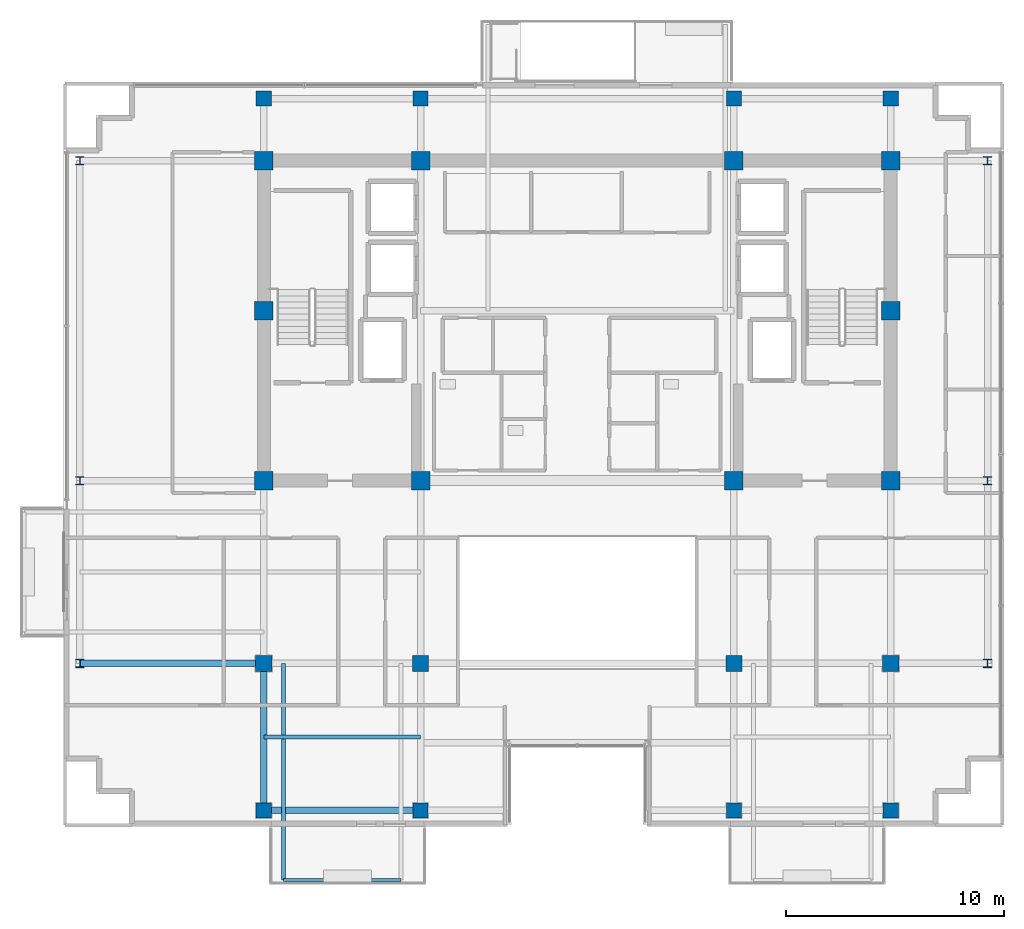
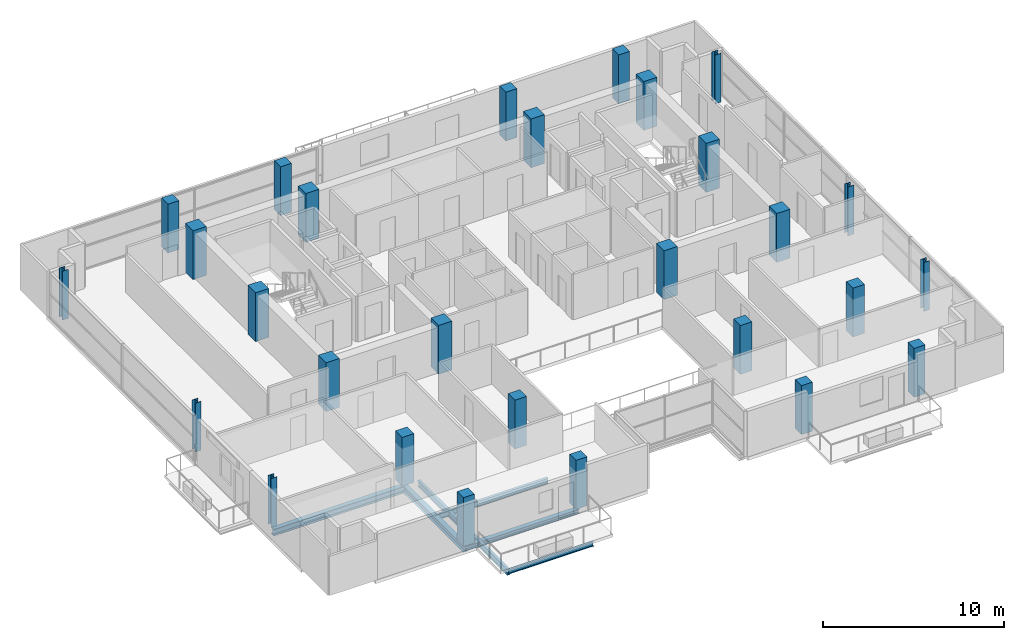
# One storey, part 1 of 24: 28 columns, 6 beams.
"""IFC4 building model written with IfcOpenShell, lengths in metres."""

from ifc_helpers import new_model, si_unit, direction, frame, origin, origin_2d, place, context, subcontext, project, spatial, rectangle, i_section, extrude, material, material_profile, profile_set, type_object, element, save


model = new_model("IFC4")

# Units and contexts
model_context = context("Model", 3, precision=1e-05, world=origin(), true_north=direction((0.0, 1.0)))
body_context = subcontext(model_context, "Body", "Model", "MODEL_VIEW")
ifc_project = project(units=[si_unit("LENGTHUNIT", "METRE"), si_unit("AREAUNIT", "SQUARE_METRE"), si_unit("VOLUMEUNIT", "CUBIC_METRE"), si_unit("PLANEANGLEUNIT", "RADIAN"), si_unit("MASSUNIT", "GRAM", prefix="KILO")], contexts=[model_context])

# Site, building, storey
site_placement = place(None, origin())
site = spatial("IfcSite", under=ifc_project, at=site_placement, CompositionType="ELEMENT")
building_placement = place(site_placement, origin())
building = spatial("IfcBuilding", under=site, at=building_placement, Name="Zarnakvel Exchange Tower", CompositionType="ELEMENT")
storey_placement = place(building_placement, frame((0.0, 0.0, 208.89990234375)))
storey = spatial("IfcBuildingStorey", under=building, at=storey_placement, Name="L58", CompositionType="ELEMENT", Elevation=208.89990234375)

# Columns
ifc_material_1 = material(Name="Concrete C50/60", Category="concrete")
ifc_material_profile_1 = material_profile(ifc_material_1, rectangle(XDim=0.85009765625, YDim=0.85009765625, at=origin_2d()))
ifc_profile_set_1 = profile_set([ifc_material_profile_1], Name="Concrete C50/60")
column_type_1 = type_object("IfcColumnType", Name="CC-03", PredefinedType="COLUMN", material=ifc_profile_set_1)
for number, where, z_axis, x_axis, name in (
    (1, (-14.39990234375, -1.199951171875, 0.0), (0.0, 0.0, 1.0), (1.0, 0.0, 0.0), "L58 Column C-4D (CC-03)"),
    (2, (-7.199951171875, -1.199951171875, 0.0), (0.0, 0.0, 1.0), (1.0, 0.0, 0.0), "L58 Column C-5D (CC-03)"),
    (3, (7.199951171875, -1.199951171875, 0.0), (0.0, 0.0, 1.0), (1.0, 0.0, 0.0), "L58 Column C-8D (CC-03)"),
    (4, (14.39990234375, -1.199951171875, 0.0), (0.0, 0.0, 1.0), (1.0, 0.0, 0.0), "L58 Column C-9D (CC-03)"),
    (5, (-14.39990234375, 6.60009765625, 0.0), (0.0, 0.0, 1.0), (1.0, 0.0, 0.0), "L58 Column C-4E (CC-03)"),
    (6, (14.39990234375, 6.60009765625, 0.0), (0.0, 0.0, 1.0), (1.0, 0.0, 0.0), "L58 Column C-9E (CC-03)"),
    (7, (-14.39990234375, 13.5, 0.0), (0.0, 0.0, 1.0), (1.0, 0.0, 0.0), "L58 Column C-4F (CC-03)"),
    (8, (-7.199951171875, 13.5, 0.0), (0.0, 0.0, 1.0), (1.0, 0.0, 0.0), "L58 Column C-5F (CC-03)"),
    (9, (7.199951171875, 13.5, 0.0), (0.0, 0.0, 1.0), (1.0, 0.0, 0.0), "L58 Column C-8F (CC-03)"),
    (10, (14.39990234375, 13.5, 0.0), (0.0, 0.0, 1.0), (1.0, 0.0, 0.0), "L58 Column C-9F (CC-03)"),
):
    element("IfcColumn", number, at=place(storey_placement, frame(where, z_axis=z_axis, x_axis=x_axis)), inside=storey, type_object=column_type_1, Name=name, PredefinedType="COLUMN", context=body_context, shape_type="SweptSolid", body=[
        extrude(rectangle(XDim=0.85009765625, YDim=0.85009765625, at=origin_2d()), origin(), (0.0, 0.0, 1.0), 3.300048828125),
    ])
ifc_material_2 = material(Name="Steel S355", Category="steel")
ifc_material_profile_2 = material_profile(ifc_material_2, i_section(OverallWidth=0.374755859375, OverallDepth=0.37451171875, WebThickness=0.0166015625, FlangeThickness=0.027099609375, FilletRadius=0.01513671875, at=origin_2d()))
ifc_profile_set_2 = profile_set([ifc_material_profile_2], Name="Steel S355")
column_type_2 = type_object("IfcColumnType", Name="SC-05", PredefinedType="COLUMN", material=ifc_profile_set_2)
for number, where, z_axis, x_axis, name in (
    (11, (-22.85009765625, -9.60009765625, 0.0), (0.0, 0.0, 1.0), (1.0, 0.0, 0.0), "L58 Column TW-C (SC-05)"),
    (12, (18.85009765625, -9.60009765625, 0.0), (0.0, 0.0, 1.0), (1.0, 0.0, 0.0), "L58 Column TE-C (SC-05)"),
    (13, (-22.85009765625, -1.199951171875, 0.0), (0.0, 0.0, 1.0), (1.0, 0.0, 0.0), "L58 Column TW-D (SC-05)"),
    (14, (18.85009765625, -1.199951171875, 0.0), (0.0, 0.0, 1.0), (1.0, 0.0, 0.0), "L58 Column TE-D (SC-05)"),
    (15, (-22.85009765625, 13.5, 0.0), (0.0, 0.0, 1.0), (1.0, 0.0, 0.0), "L58 Column TW-F (SC-05)"),
    (16, (18.85009765625, 13.5, 0.0), (0.0, 0.0, 1.0), (1.0, 0.0, 0.0), "L58 Column TE-F (SC-05)"),
):
    element("IfcColumn", number, at=place(storey_placement, frame(where, z_axis=z_axis, x_axis=x_axis)), inside=storey, type_object=column_type_2, Name=name, PredefinedType="COLUMN", context=body_context, shape_type="SweptSolid", body=[
        extrude(i_section(OverallWidth=0.374755859375, OverallDepth=0.37451171875, WebThickness=0.0166015625, FlangeThickness=0.027099609375, FilletRadius=0.01513671875, at=origin_2d()), origin(), (0.0, 0.0, 1.0), 3.300048828125),
    ])
ifc_material_profile_3 = material_profile(ifc_material_1, rectangle(XDim=0.75, YDim=0.75, at=origin_2d()))
ifc_profile_set_3 = profile_set([ifc_material_profile_3], Name="Concrete C50/60")
column_type_3 = type_object("IfcColumnType", Name="TC-04", PredefinedType="COLUMN", material=ifc_profile_set_3)
for number, where, z_axis, x_axis, name in (
    (17, (-14.39990234375, -9.60009765625, 0.0), (0.0, 0.0, 1.0), (1.0, 0.0, 0.0), "L58 Column T-4C (TC-04)"),
    (18, (-7.199951171875, -9.60009765625, 0.0), (0.0, 0.0, 1.0), (1.0, 0.0, 0.0), "L58 Column T-5C (TC-04)"),
    (19, (7.199951171875, -9.60009765625, 0.0), (0.0, 0.0, 1.0), (1.0, 0.0, 0.0), "L58 Column T-8C (TC-04)"),
    (20, (14.39990234375, -9.60009765625, 0.0), (0.0, 0.0, 1.0), (1.0, 0.0, 0.0), "L58 Column T-9C (TC-04)"),
):
    element("IfcColumn", number, at=place(storey_placement, frame(where, z_axis=z_axis, x_axis=x_axis)), inside=storey, type_object=column_type_3, Name=name, PredefinedType="COLUMN", context=body_context, shape_type="SweptSolid", body=[
        extrude(rectangle(XDim=0.75, YDim=0.75, at=origin_2d()), origin(), (0.0, 0.0, 1.0), 3.300048828125),
    ])
ifc_material_profile_4 = material_profile(ifc_material_1, rectangle(XDim=0.699951171875, YDim=0.699951171875, at=origin_2d()))
ifc_profile_set_4 = profile_set([ifc_material_profile_4], Name="Concrete C50/60")
column_type_4 = type_object("IfcColumnType", Name="TC-05", PredefinedType="COLUMN", material=ifc_profile_set_4)
for number, where, z_axis, x_axis, name in (
    (21, (-14.39990234375, -16.35009765625, 0.0), (0.0, 0.0, 1.0), (1.0, 0.0, 0.0), "L58 Column TS-4 (TC-05)"),
    (22, (-14.39990234375, 16.35009765625, 0.0), (0.0, 0.0, 1.0), (1.0, 0.0, 0.0), "L58 Column TN-4 (TC-05)"),
    (23, (-7.199951171875, -16.35009765625, 0.0), (0.0, 0.0, 1.0), (1.0, 0.0, 0.0), "L58 Column TS-5 (TC-05)"),
    (24, (-7.199951171875, 16.35009765625, 0.0), (0.0, 0.0, 1.0), (1.0, 0.0, 0.0), "L58 Column TN-5 (TC-05)"),
    (25, (7.199951171875, -16.35009765625, 0.0), (0.0, 0.0, 1.0), (1.0, 0.0, 0.0), "L58 Column TS-8 (TC-05)"),
    (26, (7.199951171875, 16.35009765625, 0.0), (0.0, 0.0, 1.0), (1.0, 0.0, 0.0), "L58 Column TN-8 (TC-05)"),
    (27, (14.39990234375, -16.35009765625, 0.0), (0.0, 0.0, 1.0), (1.0, 0.0, 0.0), "L58 Column TS-9 (TC-05)"),
    (28, (14.39990234375, 16.35009765625, 0.0), (0.0, 0.0, 1.0), (1.0, 0.0, 0.0), "L58 Column TN-9 (TC-05)"),
):
    element("IfcColumn", number, at=place(storey_placement, frame(where, z_axis=z_axis, x_axis=x_axis)), inside=storey, type_object=column_type_4, Name=name, PredefinedType="COLUMN", context=body_context, shape_type="SweptSolid", body=[
        extrude(rectangle(XDim=0.699951171875, YDim=0.699951171875, at=origin_2d()), origin(), (0.0, 0.0, 1.0), 3.300048828125),
    ])

# Beams
ifc_material_profile_5 = material_profile(ifc_material_2, i_section(OverallWidth=0.179931640625, OverallDepth=0.39990234375, WebThickness=0.008544921875, FlangeThickness=0.013427734375, FilletRadius=0.02099609375, at=origin_2d()))
ifc_profile_set_5 = profile_set([ifc_material_profile_5], Name="Steel S355")
beam_type_1 = type_object("IfcBeamType", Name="B-06", PredefinedType="JOIST", material=ifc_profile_set_5)
beam_1_placement = place(storey_placement, frame((-13.5, -9.60009765625, -0.4248046875), z_axis=(0.0, -1.0, 0.0), x_axis=(1.0, 0.0, 0.0)))
element("IfcBeam", 29, at=beam_1_placement, inside=storey, type_object=beam_type_1, Name="L58 Continuous Back-Spanned Balcony Beam W", PredefinedType="JOIST", context=body_context, shape_type="SweptSolid", body=[
    extrude(i_section(OverallWidth=0.179931640625, OverallDepth=0.39990234375, WebThickness=0.008544921875, FlangeThickness=0.013427734375, FilletRadius=0.02099609375, at=origin_2d()), origin(), (0.0, 0.0, 1.0), 9.949951171875),
])
ifc_material_profile_6 = material_profile(ifc_material_2, i_section(OverallWidth=0.169921875, OverallDepth=0.360107421875, WebThickness=0.008056640625, FlangeThickness=0.0126953125, FilletRadius=0.01806640625, at=origin_2d()))
ifc_profile_set_6 = profile_set([ifc_material_profile_6], Name="Steel S355")
beam_type_2 = type_object("IfcBeamType", Name="B-07", PredefinedType="JOIST", material=ifc_profile_set_6)
beam_2_placement = place(storey_placement, frame((-14.39990234375, -12.97509765625, -0.40478515625), z_axis=(1.0, 0.0, 0.0), x_axis=(0.0, 1.0, 0.0)))
element("IfcBeam", 30, at=beam_2_placement, inside=storey, type_object=beam_type_2, Name="L58 Composite Floor Secondary Joist", PredefinedType="JOIST", context=body_context, shape_type="SweptSolid", body=[
    extrude(i_section(OverallWidth=0.169921875, OverallDepth=0.360107421875, WebThickness=0.008056640625, FlangeThickness=0.0126953125, FilletRadius=0.01806640625, at=origin_2d()), origin(), (0.0, 0.0, 1.0), 7.199951171875),
])
ifc_material_profile_7 = material_profile(ifc_material_2, i_section(OverallWidth=0.14990234375, OverallDepth=0.300048828125, WebThickness=0.007080078125, FlangeThickness=0.0107421875, FilletRadius=0.014892578125, at=origin_2d()))
ifc_profile_set_7 = profile_set([ifc_material_profile_7], Name="Steel S355")
beam_type_3 = type_object("IfcBeamType", Name="B-08", PredefinedType="JOIST", material=ifc_profile_set_7)
beam_3_placement = place(storey_placement, frame((-13.5, -19.550048828125, -0.375), z_axis=(1.0, 0.0, 0.0), x_axis=(0.0, 1.0, 0.0)))
element("IfcBeam", 31, at=beam_3_placement, inside=storey, type_object=beam_type_3, Name="L58 Balcony Edge Beam", PredefinedType="JOIST", context=body_context, shape_type="SweptSolid", body=[
    extrude(i_section(OverallWidth=0.14990234375, OverallDepth=0.300048828125, WebThickness=0.007080078125, FlangeThickness=0.0107421875, FilletRadius=0.014892578125, at=origin_2d()), origin(), (0.0, 0.0, 1.0), 5.39990234375),
])
ifc_material_profile_8 = material_profile(ifc_material_2, i_section(OverallWidth=0.300048828125, OverallDepth=0.449951171875, WebThickness=0.013916015625, FlangeThickness=0.02587890625, FilletRadius=0.027099609375, at=origin_2d()))
ifc_profile_set_8 = profile_set([ifc_material_profile_8], Name="Steel S355")
beam_type_4 = type_object("IfcBeamType", Name="G-07", PredefinedType="BEAM", material=ifc_profile_set_8)
beam_4_placement = place(storey_placement, frame((-22.85009765625, -9.60009765625, -0.449951171875), z_axis=(1.0, 0.0, 0.0), x_axis=(0.0, 1.0, 0.0)))
element("IfcBeam", 32, at=beam_4_placement, inside=storey, type_object=beam_type_4, Name="L58 Tower E-W Frame Beam", PredefinedType="BEAM", context=body_context, shape_type="SweptSolid", body=[
    extrude(i_section(OverallWidth=0.300048828125, OverallDepth=0.449951171875, WebThickness=0.013916015625, FlangeThickness=0.02587890625, FilletRadius=0.027099609375, at=origin_2d()), origin(), (0.0, 0.0, 1.0), 8.4501953125),
])
beam_5_placement = place(storey_placement, frame((-14.39990234375, -16.35009765625, -0.449951171875), z_axis=(0.0, 1.0, 0.0), x_axis=(-1.0, 0.0, 0.0)))
element("IfcBeam", 33, at=beam_5_placement, inside=storey, type_object=beam_type_4, Name="L58 Tower N-S Frame Beam", PredefinedType="BEAM", context=body_context, shape_type="SweptSolid", body=[
    extrude(i_section(OverallWidth=0.300048828125, OverallDepth=0.449951171875, WebThickness=0.013916015625, FlangeThickness=0.02587890625, FilletRadius=0.027099609375, at=origin_2d()), origin(), (0.0, 0.0, 1.0), 6.75),
])
ifc_material_profile_9 = material_profile(ifc_material_2, i_section(OverallWidth=0.300048828125, OverallDepth=0.300048828125, WebThickness=0.010986328125, FlangeThickness=0.01904296875, FilletRadius=0.027099609375, at=origin_2d()))
ifc_profile_set_9 = profile_set([ifc_material_profile_9], Name="Steel S355")
beam_type_5 = type_object("IfcBeamType", Name="SP-03", PredefinedType="SPANDREL", material=ifc_profile_set_9)
beam_6_placement = place(storey_placement, frame((-14.39990234375, -16.35009765625, -0.375), z_axis=(1.0, 0.0, 0.0), x_axis=(0.0, 1.0, 0.0)))
element("IfcBeam", 34, at=beam_6_placement, inside=storey, type_object=beam_type_5, Name="L58 Tower E-W Frame Beam", PredefinedType="SPANDREL", context=body_context, shape_type="SweptSolid", body=[
    extrude(i_section(OverallWidth=0.300048828125, OverallDepth=0.300048828125, WebThickness=0.010986328125, FlangeThickness=0.01904296875, FilletRadius=0.027099609375, at=origin_2d()), origin(), (0.0, 0.0, 1.0), 7.199951171875),
])

save(model, "model.ifc")
